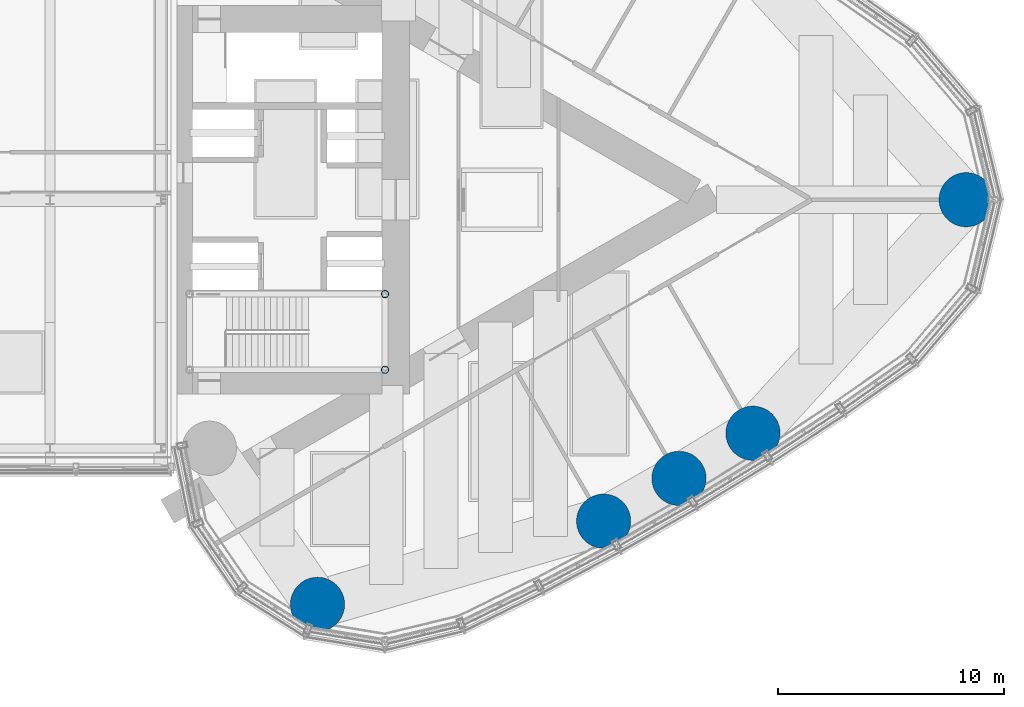
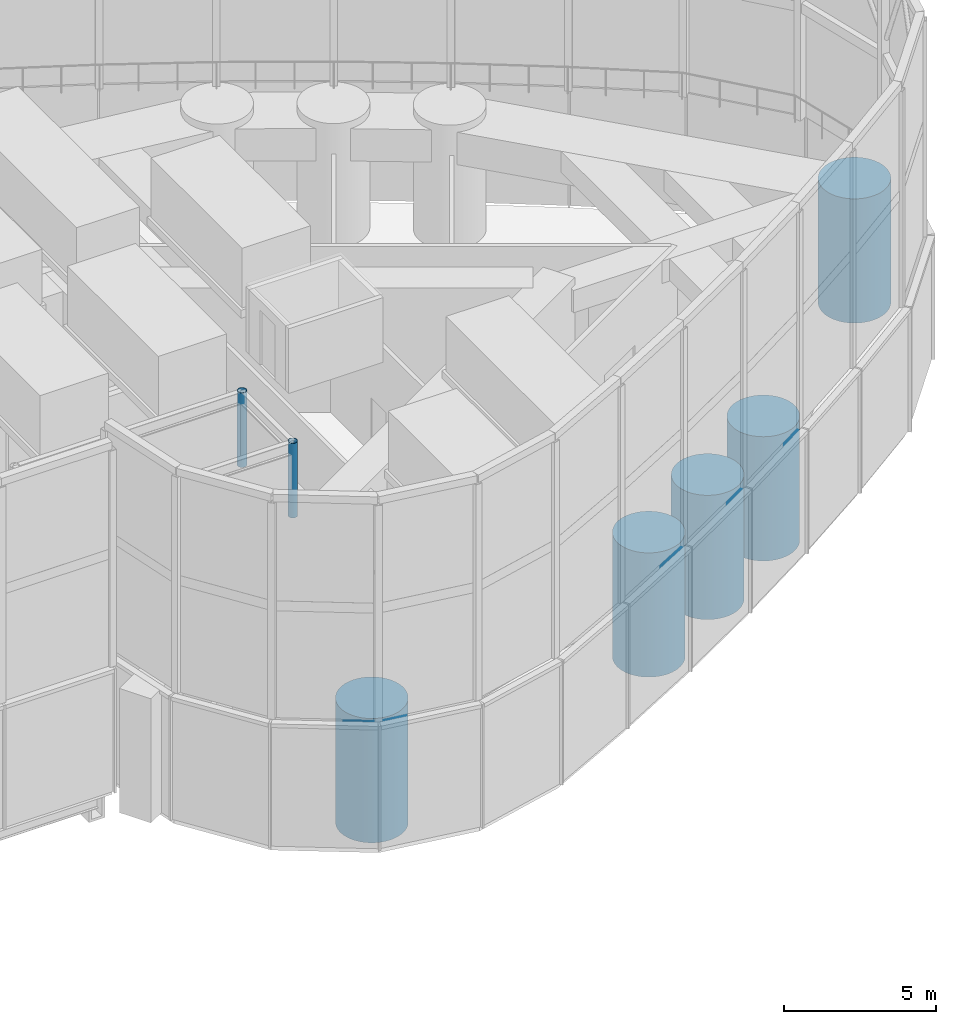
# One storey, part 5 of 33: 7 columns.
"""IFC4 building model written with IfcOpenShell, lengths in metres."""

from ifc_helpers import new_model, si_unit, direction, frame, origin, origin_2d, place, context, subcontext, project, spatial, circle, hollow_circle, extrude, material, material_profile, profile_set, type_object, element, save


model = new_model("IFC4")

# Units and contexts
model_context = context("Model", 3, precision=1e-05, world=origin(), true_north=direction((0.0, 1.0)))
body_context = subcontext(model_context, "Body", "Model", "MODEL_VIEW")
ifc_project = project(units=[si_unit("LENGTHUNIT", "METRE"), si_unit("AREAUNIT", "SQUARE_METRE"), si_unit("VOLUMEUNIT", "CUBIC_METRE"), si_unit("PLANEANGLEUNIT", "RADIAN"), si_unit("MASSUNIT", "GRAM", prefix="KILO")], contexts=[model_context])

# Site, building, storey
site_placement = place(None, origin())
site = spatial("IfcSite", under=ifc_project, at=site_placement, CompositionType="ELEMENT")
building_placement = place(site_placement, origin())
building = spatial("IfcBuilding", under=site, at=building_placement, Name="Lancet Gate Hotel", CompositionType="ELEMENT")
storey_placement = place(building_placement, frame((0.0, 0.0, 268.300048828125)))
storey = spatial("IfcBuildingStorey", under=building, at=storey_placement, Name="L70", CompositionType="ELEMENT", Elevation=268.300048828125)

# Columns
ifc_material_1 = material(Name="Steel S355", Category="steel")
ifc_material_profile_1 = material_profile(ifc_material_1, hollow_circle(Radius=0.161865234375, WallThickness=0.012451171875, at=origin_2d()), Name="CHS 323.9x12.5")
ifc_profile_set_1 = profile_set([ifc_material_profile_1], Name="Steel S355")
column_type_1 = type_object("IfcColumnType", Name="Head-house column CHS 323.9x12.5", PredefinedType="COLUMN", material=ifc_profile_set_1)
for number, where, z_axis, x_axis, name in (
    (1, (36.824951171875, -7.52490234375, 5.0), (0.0, 0.0, 1.0), (1.0, 0.0, 0.0), "T2 head-house column BO"),
    (2, (36.824951171875, -4.175048828125, 5.0), (0.0, 0.0, 1.0), (1.0, 0.0, 0.0), "T2 head-house column BI"),
):
    element("IfcColumn", number, at=place(storey_placement, frame(where, z_axis=z_axis, x_axis=x_axis)), inside=storey, type_object=column_type_1, Name=name, PredefinedType="COLUMN", context=body_context, shape_type="SweptSolid", body=[
        extrude(hollow_circle(Radius=0.161865234375, WallThickness=0.012451171875, at=origin_2d()), origin(), (0.0, 0.0, 1.0), 3.0),
    ])
ifc_material_2 = material(Name="Concrete C50/60", Category="concrete")
ifc_material_profile_2 = material_profile(ifc_material_2, circle(Radius=1.199951171875, at=origin_2d()), Name="RC D2400")
ifc_profile_set_2 = profile_set([ifc_material_profile_2], Name="Concrete C50/60")
column_type_2 = type_object("IfcColumnType", Name="Perimeter column RC D2400", PredefinedType="COLUMN", material=ifc_profile_set_2)
for number, where, z_axis, x_axis, name in (
    (3, (62.54150390625, 0.0, 0.0), (0.0, 0.0, 1.0), (1.0, 0.0, 0.0), "T2 column CA L70"),
    (4, (33.837158203125, -17.906005859375, 0.0), (0.0, 0.0, 1.0), (1.0, 0.0, 0.0), "T2 column CS L70"),
    (5, (46.499267578125, -14.2255859375, 0.0), (0.0, 0.0, 1.0), (1.0, 0.0, 0.0), "T2 column OS1 L70"),
    (6, (49.833984375, -12.331787109375, 0.0), (0.0, 0.0, 1.0), (1.0, 0.0, 0.0), "T2 column OS2 L70"),
    (7, (53.107666015625, -10.333984375, 0.0), (0.0, 0.0, 1.0), (1.0, 0.0, 0.0), "T2 column OS3 L70"),
):
    element("IfcColumn", number, at=place(storey_placement, frame(where, z_axis=z_axis, x_axis=x_axis)), inside=storey, type_object=column_type_2, Name=name, PredefinedType="COLUMN", context=body_context, shape_type="SweptSolid", body=[
        extrude(circle(Radius=1.199951171875, at=origin_2d()), origin(), (0.0, 0.0, 1.0), 5.0),
    ])

save(model, "model.ifc")
